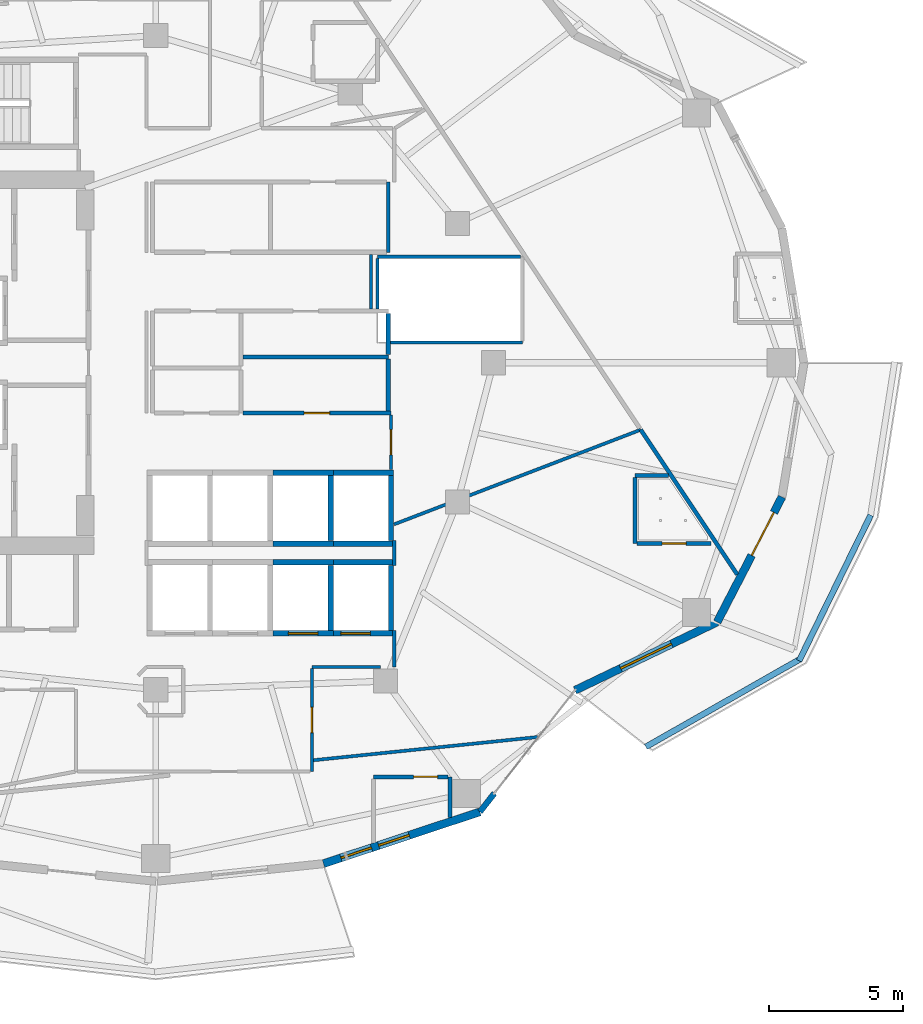
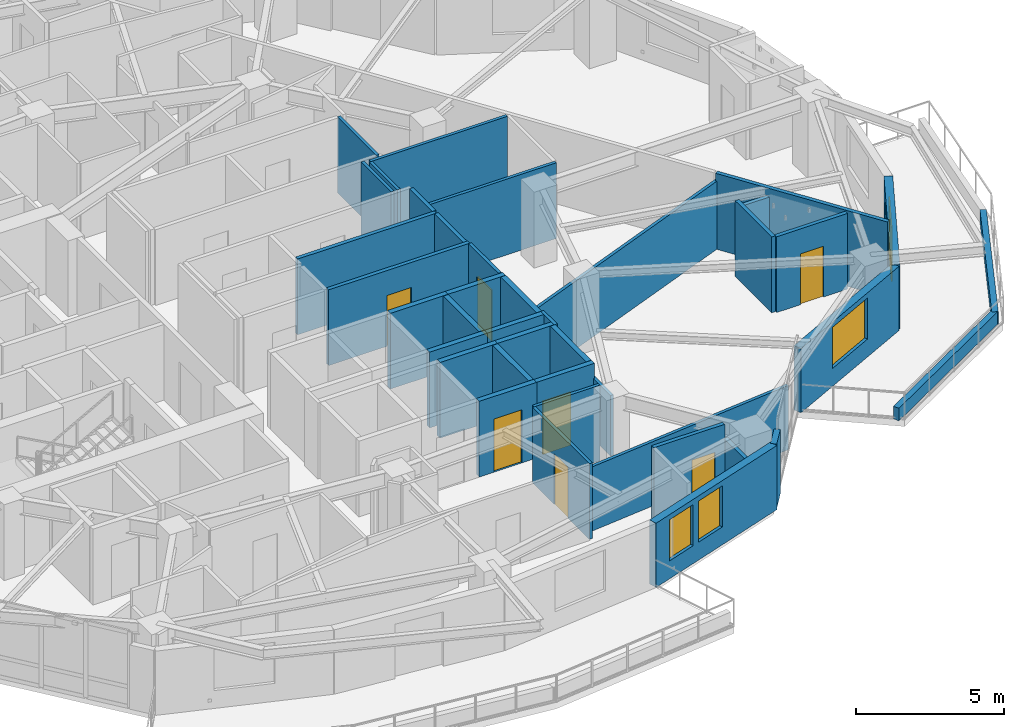
# One storey, part 10 of 18: 40 walls, 8 doors, 3 windows, 11 openings.
"""IFC4 building model written with IfcOpenShell, lengths in metres."""

from ifc_helpers import new_model, si_unit, direction, frame, frame_2d, origin, place, context, subcontext, project, spatial, rectangle, extrude, material, layer, layer_set, type_object, element, fill, save


model = new_model("IFC4")

# Units and contexts
model_context = context("Model", 3, precision=1e-05, world=origin(), true_north=direction((0.0, 1.0)))
body_context = subcontext(model_context, "Body", "Model", "MODEL_VIEW")
ifc_project = project(units=[si_unit("LENGTHUNIT", "METRE"), si_unit("AREAUNIT", "SQUARE_METRE"), si_unit("VOLUMEUNIT", "CUBIC_METRE"), si_unit("PLANEANGLEUNIT", "RADIAN"), si_unit("MASSUNIT", "GRAM", prefix="KILO")], contexts=[model_context])

# Site, building, storey
site_placement = place(None, origin())
site = spatial("IfcSite", under=ifc_project, at=site_placement, CompositionType="ELEMENT")
building_placement = place(site_placement, origin())
building = spatial("IfcBuilding", under=site, at=building_placement, Name="Kolvaren Gate Tower and Convention Centre", CompositionType="ELEMENT")
storey_placement = place(building_placement, frame((0.0, 0.0, 108.699951171875)))
storey = spatial("IfcBuildingStorey", under=building, at=storey_placement, Name="L26", CompositionType="ELEMENT", Elevation=108.699951171875)

# Walls
ifc_material_1 = material(Name="Fire-Rated Acoustic Gypsum Stud Partition", Category="gypsum")
ifc_layer_1 = layer(ifc_material_1, 0.1201171875)
ifc_layer_set_1 = layer_set([ifc_layer_1], Name="Fire-Rated Acoustic Gypsum Stud Partition")
wall_type_1 = type_object("IfcWallType", Name="ARCH-WL-PART-120", PredefinedType="PARTITIONING", material=ifc_layer_set_1)
wall_1_placement = place(storey_placement, frame((38.800048828125, 31.1201171875, 0.0), z_axis=(0.0, 0.0, 1.0), x_axis=(0.0, 1.0, 0.0)))
element("IfcWall", 1, at=wall_1_placement, inside=storey, type_object=wall_type_1, Name="Interior Partition WL-L26-INT-024", PredefinedType="PARTITIONING", context=body_context, shape_type="SweptSolid", body=[
    extrude(rectangle(XDim=2.6298828125, YDim=0.1201171875, at=frame_2d((1.31494140625, 0.0))), origin(), (0.0, 0.0, 1.0), 3.130126953125),
])
wall_2_placement = place(storey_placement, frame((39.02001953125, 15.64990234375, 0.0), z_axis=(0.0, 0.0, 1.0), x_axis=(0.0, 1.0, 0.0)))
element("IfcWall", 2, at=wall_2_placement, inside=storey, type_object=wall_type_1, Name="Interior Partition WL-L26-INT-028", PredefinedType="PARTITIONING", context=body_context, shape_type="SweptSolid", body=[
    extrude(rectangle(XDim=1.360107421875, YDim=0.1201171875, at=frame_2d((0.68017578125, 0.0))), origin(), (0.0, 0.0, 1.0), 2.505126953125),
])
wall_3_placement = place(storey_placement, frame((39.02001953125, 19.43994140625, 0.0), z_axis=(0.0, 0.0, 1.0), x_axis=(0.0, 1.0, 0.0)))
element("IfcWall", 3, at=wall_3_placement, inside=storey, type_object=wall_type_1, Name="Interior Partition WL-L26-INT-028 (2)", PredefinedType="PARTITIONING", context=body_context, shape_type="SweptSolid", body=[
    extrude(rectangle(XDim=0.920166015625, YDim=0.1201171875, at=frame_2d((0.4599609375, 0.0))), origin(), (0.0, 0.0, 1.0), 3.130126953125),
])
wall_4_placement = place(storey_placement, frame((35.949951171875, 15.64990234375, 0.0), z_axis=(0.0, 0.0, 1.0), x_axis=(1.0, 0.0, 0.0)))
element("IfcWall", 4, at=wall_4_placement, inside=storey, type_object=wall_type_1, Name="Interior Partition WL-L26-INT-031", PredefinedType="PARTITIONING", context=body_context, shape_type="SweptSolid", body=[
    extrude(rectangle(XDim=2.568115234375, YDim=0.1201171875, at=frame_2d((1.2841796875, 0.0))), origin(), (0.0, 0.0, 1.0), 3.130126953125),
])

# Wall, opening, door
wall_5_placement = place(storey_placement, frame((35.949951171875, 11.75, 0.0), z_axis=(0.0, 0.0, 1.0), x_axis=(0.0, 1.0, 0.0)))
wall_5 = element("IfcWall", 5, at=wall_5_placement, inside=storey, type_object=wall_type_1, Name="Interior Partition WL-L26-INT-032", PredefinedType="PARTITIONING", context=body_context, shape_type="SweptSolid", body=[
    extrude(rectangle(XDim=3.837890625, YDim=0.1201171875, at=frame_2d((1.9189453125, 0.0))), origin(), (0.0, 0.0, 1.0), 3.130126953125),
])
opening_1_placement = place(wall_5_placement, frame((1.444091796875, 0.0, 0.0)))
opening_1 = element("IfcOpeningElement", 6, at=opening_1_placement, cuts=wall_5, Name="Opening DR-01", PredefinedType="OPENING", context=body_context, shape_type="SweptSolid", body=[
    extrude(rectangle(XDim=0.949951171875, YDim=2.10009765625, at=frame_2d((0.47509765625, 1.050048828125))), frame((0.0, 0.070068359375, 0.0), z_axis=(0.0, -1.0, 0.0), x_axis=(1.0, 0.0, 0.0)), (0.0, 0.0, 1.0), 0.14013671875),
])
ifc_material_2 = material(Name="Painted Architectural Steelwork ASTM A500 Grade C 345 MPa", Category="steel")
door_type_1 = type_object("IfcDoorType", Name="ARCH-DR-RISER-950", OperationType="SINGLE_SWING_RIGHT", PredefinedType="DOOR", material=ifc_material_2)
door_1_placement = place(opening_1_placement, origin())
door_1 = element("IfcDoor", 7, at=door_1_placement, inside=storey, type_object=door_type_1, Name="Deluxe Hotel Suite (HTL-L26-03) Door", OperationType="SINGLE_SWING_LEFT", OverallHeight=2.10009765625, OverallWidth=0.949951171875, PredefinedType="DOOR", context=body_context, shape_type="SweptSolid", body=[
    extrude(rectangle(XDim=0.949951171875, YDim=2.10009765625, at=frame_2d((0.47509765625, 1.050048828125))), frame((0.0, 0.02490234375, 0.0), z_axis=(0.0, -1.0, 0.0), x_axis=(1.0, 0.0, 0.0)), (0.0, 0.0, 1.0), 0.050048828125),
])
fill(opening_1, door_1)

# Wall
wall_6_placement = place(storey_placement, frame((38.159912109375, 28.9970703125, 0.0), z_axis=(0.0, 0.0, 1.0), x_axis=(0.0, 1.0, 0.0)))
element("IfcWall", 8, at=wall_6_placement, inside=storey, type_object=wall_type_1, Name="Interior Partition WL-L26-INT-054", PredefinedType="PARTITIONING", context=body_context, shape_type="SweptSolid", body=[
    extrude(rectangle(XDim=2.0458984375, YDim=0.1201171875, at=frame_2d((1.02294921875, 0.0))), origin(), (0.0, 0.0, 1.0), 3.130126953125),
])

# Wall, opening, door
wall_7_placement = place(storey_placement, frame((38.89990234375, 23.02001953125, 0.0), z_axis=(0.0, 0.0, 1.0), x_axis=(0.0, 1.0, 0.0)))
wall_7 = element("IfcWall", 9, at=wall_7_placement, inside=storey, type_object=wall_type_1, Name="Interior Partition WL-L26-INT-055", PredefinedType="PARTITIONING", context=body_context, shape_type="SweptSolid", body=[
    extrude(rectangle(XDim=2.02294921875, YDim=0.1201171875, at=frame_2d((1.011474609375, 0.0))), origin(), (0.0, 0.0, 1.0), 3.130126953125),
])
opening_2_placement = place(wall_7_placement, frame((0.53662109375, 0.0, 0.0)))
opening_2 = element("IfcOpeningElement", 10, at=opening_2_placement, cuts=wall_7, Name="Opening DR-01", PredefinedType="OPENING", context=body_context, shape_type="SweptSolid", body=[
    extrude(rectangle(XDim=0.949951171875, YDim=2.10009765625, at=frame_2d((0.47509765625, 1.050048828125))), frame((0.0, 0.070068359375, 0.0), z_axis=(0.0, -1.0, 0.0), x_axis=(1.0, 0.0, 0.0)), (0.0, 0.0, 1.0), 0.14013671875),
])
door_2_placement = place(opening_2_placement, origin())
door_2 = element("IfcDoor", 11, at=door_2_placement, inside=storey, type_object=door_type_1, Name="Hotel Botanical Clubroom Door", OperationType="SINGLE_SWING_RIGHT", OverallHeight=2.10009765625, OverallWidth=0.949951171875, PredefinedType="DOOR", context=body_context, shape_type="SweptSolid", body=[
    extrude(rectangle(XDim=0.949951171875, YDim=2.10009765625, at=frame_2d((0.47509765625, 1.050048828125))), frame((0.0, 0.02490234375, 0.0), z_axis=(0.0, -1.0, 0.0), x_axis=(1.0, 0.0, 0.0)), (0.0, 0.0, 1.0), 0.050048828125),
])
fill(opening_2, door_2)

# Walls
wall_8_placement = place(storey_placement, frame((39.02001953125, 20.9697265625, 0.0), z_axis=(0.0, 0.0, 1.0), x_axis=(0.933683590648, 0.358099082035, 0.0)))
element("IfcWall", 12, at=wall_8_placement, inside=storey, type_object=wall_type_1, Name="Interior Partition WL-L26-INT-061", PredefinedType="PARTITIONING", context=body_context, shape_type="SweptSolid", body=[
    extrude(rectangle(XDim=9.85498046875, YDim=0.1201171875, at=frame_2d((4.927490234375, 0.0))), origin(), (0.0, 0.0, 1.0), 2.81201171875),
])
wall_9_placement = place(storey_placement, frame((36.011962890625, 12.16796875, 0.0), z_axis=(0.0, 0.0, 1.0), x_axis=(0.994692716247, 0.102890233962, 0.0)))
element("IfcWall", 13, at=wall_9_placement, inside=storey, type_object=wall_type_1, Name="Interior Partition WL-L26-INT-068", PredefinedType="PARTITIONING", context=body_context, shape_type="SweptSolid", body=[
    extrude(rectangle(XDim=8.406982421875, YDim=0.1201171875, at=frame_2d((4.20361328125, 0.0))), origin(), (0.0, 0.0, 1.0), 2.653076171875),
])
wall_10_placement = place(storey_placement, frame((38.876953125, 27.75, 0.0), z_axis=(0.0, 0.0, 1.0), x_axis=(1.0, 0.0, 0.0)))
element("IfcWall", 14, at=wall_10_placement, inside=storey, type_object=wall_type_1, Name="Interior Partition WL-L26-INT-077", PredefinedType="PARTITIONING", context=body_context, shape_type="SweptSolid", body=[
    extrude(rectangle(XDim=4.923095703125, YDim=0.1201171875, at=frame_2d((2.46142578125, 0.0))), origin(), (0.0, 0.0, 1.0), 3.130126953125),
])
wall_11_placement = place(storey_placement, frame((38.39990234375, 30.949951171875, 0.0), z_axis=(0.0, 0.0, 1.0), x_axis=(1.0, 0.0, 0.0)))
element("IfcWall", 15, at=wall_11_placement, inside=storey, type_object=wall_type_1, Name="Interior Partition WL-L26-INT-079", PredefinedType="PARTITIONING", context=body_context, shape_type="SweptSolid", body=[
    extrude(rectangle(XDim=5.338134765625, YDim=0.1201171875, at=frame_2d((2.6689453125, 0.0))), origin(), (0.0, 0.0, 1.0), 3.130126953125),
])
wall_12_placement = place(storey_placement, frame((38.39990234375, 28.9970703125, 0.0), z_axis=(0.0, 0.0, 1.0), x_axis=(0.0, 1.0, 0.0)))
element("IfcWall", 16, at=wall_12_placement, inside=storey, type_object=wall_type_1, Name="Interior Partition WL-L26-INT-080", PredefinedType="PARTITIONING", context=body_context, shape_type="SweptSolid", body=[
    extrude(rectangle(XDim=1.890869140625, YDim=0.1201171875, at=frame_2d((0.9453125, 0.0))), origin(), (0.0, 0.0, 1.0), 3.130126953125),
])
ifc_material_3 = material(Name="Bogota Sabana Bush-Hammered Sandstone Cladding", Category="masonry")
ifc_layer_2 = layer(ifc_material_3, 0.219970703125)
ifc_layer_set_2 = layer_set([ifc_layer_2], Name="Bogota Sabana Bush-Hammered Sandstone Cladding")
wall_type_2 = type_object("IfcWallType", Name="ARCH-WL-PIER-220", PredefinedType="SOLIDWALL", material=ifc_layer_set_2)
wall_13_placement = place(storey_placement, frame((42.21875, 10.242431640625, 0.0), z_axis=(0.0, 0.0, 1.0), x_axis=(0.61650363284, 0.787352062736, 0.0)))
element("IfcWall", 17, at=wall_13_placement, inside=storey, type_object=wall_type_2, Name="Tower L26 Unitised Curtain Wall CW-HTL-UNIT Bay 20 Left Column Pier Wrap", PredefinedType="SOLIDWALL", context=body_context, shape_type="SweptSolid", body=[
    extrude(rectangle(XDim=0.8759765625, YDim=0.219970703125, at=frame_2d((0.43798828125, 0.0))), origin(), (0.0, 0.0, 1.0), 2.653076171875),
])
ifc_material_4 = material(Name="Piedmont Cream Honed Limestone Cladding", Category="masonry")
ifc_layer_3 = layer(ifc_material_4, 0.219970703125)
ifc_layer_set_3 = layer_set([ifc_layer_3], Name="Piedmont Cream Honed Limestone Cladding")
wall_type_3 = type_object("IfcWallType", Name="ARCH-WL-PLANTER-220", PredefinedType="PARAPET", material=ifc_layer_set_3)
wall_14_placement = place(storey_placement, frame((48.41259765625, 12.667724609375, 0.0), z_axis=(0.0, 0.0, 1.0), x_axis=(0.869187658335, 0.494482370361, 0.0)))
element("IfcWall", 18, at=wall_14_placement, inside=storey, type_object=wall_type_3, Name="Vertical-Forest Balcony Stone Planter Kerb PK-L26-4.1", PredefinedType="PARAPET", context=body_context, shape_type="SweptSolid", body=[
    extrude(rectangle(XDim=6.606201171875, YDim=0.219970703125, at=frame_2d((3.30322265625, 0.0))), origin(), (0.0, 0.0, 1.0), 0.52001953125),
])
wall_15_placement = place(storey_placement, frame((54.12890625, 15.87841796875, 0.0), z_axis=(0.0, 0.0, 1.0), x_axis=(0.441269631716, 0.897374566235, 0.0)))
element("IfcWall", 19, at=wall_15_placement, inside=storey, type_object=wall_type_3, Name="Vertical-Forest Balcony Stone Planter Kerb PK-L26-4.2", PredefinedType="PARAPET", context=body_context, shape_type="SweptSolid", body=[
    extrude(rectangle(XDim=6.05615234375, YDim=0.219970703125, at=frame_2d((3.028076171875, 0.0))), origin(), (0.0, 0.0, 1.0), 0.52001953125),
])
ifc_material_5 = material(Name="Autoclaved Aerated Masonry Blockwork Class 4 (4.0 MPa)", Category="masonry")
ifc_layer_4 = layer(ifc_material_5, 0.199951171875)
ifc_layer_set_4 = layer_set([ifc_layer_4], Name="Autoclaved Aerated Masonry Blockwork Class 4 (4.0 MPa)")
wall_type_4 = type_object("IfcWallType", Name="ARCH-WL-SHAFT-200", PredefinedType="SOLIDWALL", material=ifc_layer_set_4)
wall_16_placement = place(storey_placement, frame((34.5, 19.550048828125, 0.0), z_axis=(0.0, 0.0, 1.0), x_axis=(1.0, 0.0, 0.0)))
element("IfcWall", 20, at=wall_16_placement, inside=storey, type_object=wall_type_4, Name="Elevator PL-07 L26 Fire Shaft Wall N", PredefinedType="SOLIDWALL", context=body_context, shape_type="SweptSolid", body=[
    extrude(rectangle(XDim=2.25, YDim=0.199951171875, at=frame_2d((1.125, 0.0))), origin(), (0.0, 0.0, 1.0), 3.130126953125),
])

# Wall, opening, door
wall_17_placement = place(storey_placement, frame((34.5, 16.89990234375, 0.0), z_axis=(0.0, 0.0, 1.0), x_axis=(1.0, 0.0, 0.0)))
wall_17 = element("IfcWall", 21, at=wall_17_placement, inside=storey, type_object=wall_type_4, Name="Elevator PL-07 L26 Fire Shaft Wall S", PredefinedType="SOLIDWALL", context=body_context, shape_type="SweptSolid", body=[
    extrude(rectangle(XDim=2.25, YDim=0.199951171875, at=frame_2d((1.125, 0.0))), origin(), (0.0, 0.0, 1.0), 3.130126953125),
])
opening_3_placement = place(wall_17_placement, frame((0.574951171875, 0.0, 0.0)))
opening_3 = element("IfcOpeningElement", 22, at=opening_3_placement, cuts=wall_17, Name="Opening LD", PredefinedType="OPENING", context=body_context, shape_type="SweptSolid", body=[
    extrude(rectangle(XDim=1.10009765625, YDim=2.199951171875, at=frame_2d((0.550048828125, 1.10009765625))), frame((0.0, 0.10986328125, 0.0), z_axis=(0.0, -1.0, 0.0), x_axis=(1.0, 0.0, 0.0)), (0.0, 0.0, 1.0), 0.219970703125),
])
ifc_material_6 = material(Name="Brushed Stainless Steel Grade 316L", Category="steel")
door_type_2 = type_object("IfcDoorType", Name="ARCH-DR-LIFT-1100", OperationType="SLIDING_TO_LEFT", PredefinedType="DOOR", material=ifc_material_6)
door_3_placement = place(opening_3_placement, origin())
door_3 = element("IfcDoor", 23, at=door_3_placement, inside=storey, type_object=door_type_2, Name="Elevator PL-07 L26 Sliding Landing Door", OperationType="SLIDING_TO_LEFT", OverallHeight=2.199951171875, OverallWidth=1.10009765625, PredefinedType="DOOR", context=body_context, shape_type="SweptSolid", body=[
    extrude(rectangle(XDim=1.10009765625, YDim=2.199951171875, at=frame_2d((0.550048828125, 1.10009765625))), frame((0.0, 0.02490234375, 0.0), z_axis=(0.0, -1.0, 0.0), x_axis=(1.0, 0.0, 0.0)), (0.0, 0.0, 1.0), 0.050048828125),
])
fill(opening_3, door_3)

# Walls
wall_18_placement = place(storey_placement, frame((36.64990234375, 17.010009765625, 0.0), z_axis=(0.0, 0.0, 1.0), x_axis=(0.0, 1.0, 0.0)))
element("IfcWall", 24, at=wall_18_placement, inside=storey, type_object=wall_type_4, Name="Elevator PL-07 L26 Fire Shaft Wall E", PredefinedType="SOLIDWALL", context=body_context, shape_type="SweptSolid", body=[
    extrude(rectangle(XDim=2.429931640625, YDim=0.199951171875, at=frame_2d((1.21484375, 0.0))), origin(), (0.0, 0.0, 1.0), 3.130126953125),
])
wall_19_placement = place(storey_placement, frame((36.75, 19.550048828125, 0.0), z_axis=(0.0, 0.0, 1.0), x_axis=(1.0, 0.0, 0.0)))
element("IfcWall", 25, at=wall_19_placement, inside=storey, type_object=wall_type_4, Name="Elevator PL-08 L26 Fire Shaft Wall N", PredefinedType="SOLIDWALL", context=body_context, shape_type="SweptSolid", body=[
    extrude(rectangle(XDim=2.25, YDim=0.199951171875, at=frame_2d((1.125, 0.0))), origin(), (0.0, 0.0, 1.0), 3.130126953125),
])

# Wall, opening, door
wall_20_placement = place(storey_placement, frame((36.75, 16.89990234375, 0.0), z_axis=(0.0, 0.0, 1.0), x_axis=(1.0, 0.0, 0.0)))
wall_20 = element("IfcWall", 26, at=wall_20_placement, inside=storey, type_object=wall_type_4, Name="Elevator PL-08 L26 Fire Shaft Wall S", PredefinedType="SOLIDWALL", context=body_context, shape_type="SweptSolid", body=[
    extrude(rectangle(XDim=2.25, YDim=0.199951171875, at=frame_2d((1.125, 0.0))), origin(), (0.0, 0.0, 1.0), 3.130126953125),
])
opening_4_placement = place(wall_20_placement, frame((0.280029296875, 0.0, 0.0)))
opening_4 = element("IfcOpeningElement", 27, at=opening_4_placement, cuts=wall_20, Name="Opening LD", PredefinedType="OPENING", context=body_context, shape_type="SweptSolid", body=[
    extrude(rectangle(XDim=1.10009765625, YDim=2.199951171875, at=frame_2d((0.550048828125, 1.10009765625))), frame((0.0, 0.10986328125, 0.0), z_axis=(0.0, -1.0, 0.0), x_axis=(1.0, 0.0, 0.0)), (0.0, 0.0, 1.0), 0.219970703125),
])
door_4_placement = place(opening_4_placement, origin())
door_4 = element("IfcDoor", 28, at=door_4_placement, inside=storey, type_object=door_type_2, Name="Elevator PL-08 L26 Sliding Landing Door", OperationType="SLIDING_TO_LEFT", OverallHeight=2.199951171875, OverallWidth=1.10009765625, PredefinedType="DOOR", context=body_context, shape_type="SweptSolid", body=[
    extrude(rectangle(XDim=1.10009765625, YDim=2.199951171875, at=frame_2d((0.550048828125, 1.10009765625))), frame((0.0, 0.02490234375, 0.0), z_axis=(0.0, -1.0, 0.0), x_axis=(1.0, 0.0, 0.0)), (0.0, 0.0, 1.0), 0.050048828125),
])
fill(opening_4, door_4)

# Walls
wall_21_placement = place(storey_placement, frame((38.89990234375, 17.010009765625, 0.0), z_axis=(0.0, 0.0, 1.0), x_axis=(0.0, 1.0, 0.0)))
element("IfcWall", 29, at=wall_21_placement, inside=storey, type_object=wall_type_4, Name="Elevator PL-08 L26 Fire Shaft Wall E", PredefinedType="SOLIDWALL", context=body_context, shape_type="SweptSolid", body=[
    extrude(rectangle(XDim=2.429931640625, YDim=0.199951171875, at=frame_2d((1.21484375, 0.0))), origin(), (0.0, 0.0, 1.0), 3.130126953125),
])
for number, where, z_axis, x_axis, name in (
    (30, (34.5, 22.89990234375, 0.0), (0.0, 0.0, 1.0), (1.0, 0.0, 0.0), "Elevator PL-11 L26 Fire Shaft Wall N"),
    (31, (34.5, 20.25, 0.0), (0.0, 0.0, 1.0), (1.0, 0.0, 0.0), "Elevator PL-11 L26 Fire Shaft Wall S"),
):
    element("IfcWall", number, at=place(storey_placement, frame(where, z_axis=z_axis, x_axis=x_axis)), inside=storey, type_object=wall_type_4, Name=name, PredefinedType="SOLIDWALL", context=body_context, shape_type="SweptSolid", body=[
        extrude(rectangle(XDim=2.25, YDim=0.199951171875, at=frame_2d((1.125, 0.0))), origin(), (0.0, 0.0, 1.0), 3.130126953125),
    ])
wall_22_placement = place(storey_placement, frame((36.64990234375, 20.360107421875, 0.0), z_axis=(0.0, 0.0, 1.0), x_axis=(0.0, 1.0, 0.0)))
element("IfcWall", 32, at=wall_22_placement, inside=storey, type_object=wall_type_4, Name="Elevator PL-11 L26 Fire Shaft Wall E", PredefinedType="SOLIDWALL", context=body_context, shape_type="SweptSolid", body=[
    extrude(rectangle(XDim=2.429931640625, YDim=0.199951171875, at=frame_2d((1.21484375, 0.0))), origin(), (0.0, 0.0, 1.0), 3.130126953125),
])
for number, where, z_axis, x_axis, name in (
    (33, (36.75, 22.89990234375, 0.0), (0.0, 0.0, 1.0), (1.0, 0.0, 0.0), "Elevator PL-12 L26 Fire Shaft Wall N"),
    (34, (36.75, 20.25, 0.0), (0.0, 0.0, 1.0), (1.0, 0.0, 0.0), "Elevator PL-12 L26 Fire Shaft Wall S"),
):
    element("IfcWall", number, at=place(storey_placement, frame(where, z_axis=z_axis, x_axis=x_axis)), inside=storey, type_object=wall_type_4, Name=name, PredefinedType="SOLIDWALL", context=body_context, shape_type="SweptSolid", body=[
        extrude(rectangle(XDim=2.25, YDim=0.199951171875, at=frame_2d((1.125, 0.0))), origin(), (0.0, 0.0, 1.0), 3.130126953125),
    ])
wall_23_placement = place(storey_placement, frame((38.89990234375, 20.360107421875, 0.0), z_axis=(0.0, 0.0, 1.0), x_axis=(0.0, 1.0, 0.0)))
element("IfcWall", 35, at=wall_23_placement, inside=storey, type_object=wall_type_4, Name="Elevator PL-12 L26 Fire Shaft Wall E", PredefinedType="SOLIDWALL", context=body_context, shape_type="SweptSolid", body=[
    extrude(rectangle(XDim=2.429931640625, YDim=0.199951171875, at=frame_2d((1.21484375, 0.0))), origin(), (0.0, 0.0, 1.0), 3.130126953125),
])

# Wall, openings, windows
ifc_layer_5 = layer(ifc_material_4, 0.300048828125)
ifc_layer_set_5 = layer_set([ifc_layer_5], Name="Piedmont Cream Honed Limestone Cladding")
wall_type_5 = type_object("IfcWallType", Name="ARCH-WL-STONE-300", PredefinedType="SOLIDWALL", material=ifc_layer_set_5)
wall_24_placement = place(storey_placement, frame((36.38525390625, 8.309326171875, 0.0), z_axis=(0.0, 0.0, 1.0), x_axis=(0.949238009374, 0.314558741032, 0.0)))
wall_24 = element("IfcWall", 36, at=wall_24_placement, inside=storey, type_object=wall_type_5, Name="Tower L26 Honed Stone Spandrel Wall EW-19", PredefinedType="SOLIDWALL", context=body_context, shape_type="SweptSolid", body=[
    extrude(rectangle(XDim=6.1455078125, YDim=0.300048828125, at=frame_2d((3.07275390625, 0.0))), origin(), (0.0, 0.0, 1.0), 2.653076171875),
])
opening_5_placement = place(wall_24_placement, frame((0.684814453125, 0.0, 0.739990234375)))
opening_5 = element("IfcOpeningElement", 37, at=opening_5_placement, cuts=wall_24, Name="Opening W-04", PredefinedType="OPENING", context=body_context, shape_type="SweptSolid", body=[
    extrude(rectangle(XDim=1.199951171875, YDim=1.699951171875, at=frame_2d((0.60009765625, 0.85009765625))), frame((0.0, 0.159912109375, 0.0), z_axis=(0.0, -1.0, 0.0), x_axis=(1.0, 0.0, 0.0)), (0.0, 0.0, 1.0), 0.320068359375),
])
opening_6_placement = place(wall_24_placement, frame((2.165771484375, 0.0, 0.739990234375)))
opening_6 = element("IfcOpeningElement", 38, at=opening_6_placement, cuts=wall_24, Name="Opening W-04", PredefinedType="OPENING", context=body_context, shape_type="SweptSolid", body=[
    extrude(rectangle(XDim=1.199951171875, YDim=1.699951171875, at=frame_2d((0.60009765625, 0.85009765625))), frame((0.0, 0.159912109375, 0.0), z_axis=(0.0, -1.0, 0.0), x_axis=(1.0, 0.0, 0.0)), (0.0, 0.0, 1.0), 0.320068359375),
])
ifc_material_7 = material(Name="Low-E Triple Insulated Glazing Unit 44 mm", Category="glass")
window_type_1 = type_object("IfcWindowType", Name="ARCH-WN-NARROW-1200", PartitioningType="SINGLE_PANEL", PredefinedType="WINDOW", material=ifc_material_7)
window_1_placement = place(opening_5_placement, origin())
window_1 = element("IfcWindow", 39, at=window_1_placement, inside=storey, type_object=window_type_1, Name="Tower L26 Punched Stone Facade Window W-19", OverallHeight=1.699951171875, OverallWidth=1.199951171875, PartitioningType="SINGLE_PANEL", PredefinedType="WINDOW", context=body_context, shape_type="SweptSolid", body=[
    extrude(rectangle(XDim=1.199951171875, YDim=1.699951171875, at=frame_2d((0.60009765625, 0.85009765625))), frame((0.0, 0.030029296875, 0.0), z_axis=(0.0, -1.0, 0.0), x_axis=(1.0, 0.0, 0.0)), (0.0, 0.0, 1.0), 0.06005859375),
])
fill(opening_5, window_1)
window_2_placement = place(opening_6_placement, origin())
window_2 = element("IfcWindow", 40, at=window_2_placement, inside=storey, type_object=window_type_1, Name="Tower L26 Punched Stone Facade Window W-19B", OverallHeight=1.699951171875, OverallWidth=1.199951171875, PartitioningType="SINGLE_PANEL", PredefinedType="WINDOW", context=body_context, shape_type="SweptSolid", body=[
    extrude(rectangle(XDim=1.199951171875, YDim=1.699951171875, at=frame_2d((0.60009765625, 0.85009765625))), frame((0.0, 0.030029296875, 0.0), z_axis=(0.0, -1.0, 0.0), x_axis=(1.0, 0.0, 0.0)), (0.0, 0.0, 1.0), 0.06005859375),
])
fill(opening_6, window_2)

# Wall, opening, window
wall_25_placement = place(storey_placement, frame((45.768798828125, 14.777099609375, 0.0), z_axis=(0.0, 0.0, 1.0), x_axis=(0.901370184739, 0.433049408339, 0.0)))
wall_25 = element("IfcWall", 41, at=wall_25_placement, inside=storey, type_object=wall_type_5, Name="Tower L26 Honed Stone Spandrel Wall EW-21", PredefinedType="SOLIDWALL", context=body_context, shape_type="SweptSolid", body=[
    extrude(rectangle(XDim=5.883544921875, YDim=0.300048828125, at=frame_2d((2.94189453125, 0.0))), origin(), (0.0, 0.0, 1.0), 2.653076171875),
])
opening_7_placement = place(wall_25_placement, frame((1.89208984375, 0.0, 0.739990234375)))
opening_7 = element("IfcOpeningElement", 42, at=opening_7_placement, cuts=wall_25, Name="Opening W-02", PredefinedType="OPENING", context=body_context, shape_type="SweptSolid", body=[
    extrude(rectangle(XDim=2.10009765625, YDim=1.699951171875, at=frame_2d((1.050048828125, 0.85009765625))), frame((0.0, 0.159912109375, 0.0), z_axis=(0.0, -1.0, 0.0), x_axis=(1.0, 0.0, 0.0)), (0.0, 0.0, 1.0), 0.320068359375),
])
window_type_2 = type_object("IfcWindowType", Name="ARCH-WN-HTL-2100", PartitioningType="SINGLE_PANEL", PredefinedType="WINDOW", material=ifc_material_7)
window_3_placement = place(opening_7_placement, origin())
window_3 = element("IfcWindow", 43, at=window_3_placement, inside=storey, type_object=window_type_2, Name="Tower L26 Punched Stone Facade Window W-21", OverallHeight=1.699951171875, OverallWidth=2.10009765625, PartitioningType="SINGLE_PANEL", PredefinedType="WINDOW", context=body_context, shape_type="SweptSolid", body=[
    extrude(rectangle(XDim=2.10009765625, YDim=1.699951171875, at=frame_2d((1.050048828125, 0.85009765625))), frame((0.0, 0.030029296875, 0.0), z_axis=(0.0, -1.0, 0.0), x_axis=(1.0, 0.0, 0.0)), (0.0, 0.0, 1.0), 0.06005859375),
])
fill(opening_7, window_3)

# Wall, opening, door
wall_26_placement = place(storey_placement, frame((51.072021484375, 17.324951171875, 0.0), z_axis=(0.0, 0.0, 1.0), x_axis=(0.459767899643, 0.888039119892, 0.0)))
wall_26 = element("IfcWall", 44, at=wall_26_placement, inside=storey, type_object=wall_type_5, Name="Tower L26 Honed Stone Spandrel Wall EW-22", PredefinedType="SOLIDWALL", context=body_context, shape_type="SweptSolid", body=[
    extrude(rectangle(XDim=5.25537109375, YDim=0.300048828125, at=frame_2d((2.627685546875, 0.0))), origin(), (0.0, 0.0, 1.0), 2.653076171875),
])
opening_8_placement = place(wall_26_placement, frame((2.800048828125, 0.0, 0.0)))
opening_8 = element("IfcOpeningElement", 45, at=opening_8_placement, cuts=wall_26, Name="Opening DB-01", PredefinedType="OPENING", context=body_context, shape_type="SweptSolid", body=[
    extrude(rectangle(XDim=1.800048828125, YDim=2.25, at=frame_2d((0.89990234375, 1.125))), frame((0.0, 0.159912109375, 0.0), z_axis=(0.0, -1.0, 0.0), x_axis=(1.0, 0.0, 0.0)), (0.0, 0.0, 1.0), 0.320068359375),
])
ifc_material_8 = material(Name="Anodized Architectural Aluminium Alloy 6063-T6", Category="aluminium")
door_type_3 = type_object("IfcDoorType", Name="ARCH-DR-BALC-1800", OperationType="SLIDING_TO_LEFT", PredefinedType="DOOR", material=ifc_material_8)
door_5_placement = place(opening_8_placement, frame((1.800048828125, 0.0, 0.0), z_axis=(0.0, 0.0, 1.0), x_axis=(-1.0, 0.0, 0.0)))
door_5 = element("IfcDoor", 46, at=door_5_placement, inside=storey, type_object=door_type_3, Name="Planted Sky Terrace Access Door DB-L26-22", OperationType="SLIDING_TO_LEFT", OverallHeight=2.25, OverallWidth=1.800048828125, PredefinedType="DOOR", context=body_context, shape_type="SweptSolid", body=[
    extrude(rectangle(XDim=1.800048828125, YDim=2.25, at=frame_2d((0.89990234375, 1.125))), frame((0.0, 0.02490234375, 0.0), z_axis=(0.0, -1.0, 0.0), x_axis=(1.0, 0.0, 0.0)), (0.0, 0.0, 1.0), 0.050048828125),
])
fill(opening_8, door_5)

ifc_material_9 = material(Name="Moisture-Resistant Cement-Board Acoustic Partition", Category="gypsum")
ifc_layer_6 = layer(ifc_material_9, 0.14990234375)
ifc_layer_set_6 = layer_set([ifc_layer_6], Name="Moisture-Resistant Cement-Board Acoustic Partition")
wall_type_6 = type_object("IfcWallType", Name="ARCH-WL-WET-150", PredefinedType="PARTITIONING", material=ifc_layer_set_6)
wall_27_placement = place(storey_placement, frame((33.376953125, 25.1201171875, 0.0), z_axis=(0.0, 0.0, 1.0), x_axis=(1.0, 0.0, 0.0)))
wall_27 = element("IfcWall", 47, at=wall_27_placement, inside=storey, type_object=wall_type_6, Name="Interior Partition WL-L26-INT-021 (2)", PredefinedType="PARTITIONING", context=body_context, shape_type="SweptSolid", body=[
    extrude(rectangle(XDim=5.52294921875, YDim=0.14990234375, at=frame_2d((2.761474609375, 0.0))), origin(), (0.0, 0.0, 1.0), 3.130126953125),
])
opening_9_placement = place(wall_27_placement, frame((2.28662109375, 0.0, 0.0)))
opening_9 = element("IfcOpeningElement", 48, at=opening_9_placement, cuts=wall_27, Name="Opening DR-01", PredefinedType="OPENING", context=body_context, shape_type="SweptSolid", body=[
    extrude(rectangle(XDim=0.949951171875, YDim=2.10009765625, at=frame_2d((0.47509765625, 1.050048828125))), frame((0.0, 0.0849609375, 0.0), z_axis=(0.0, -1.0, 0.0), x_axis=(1.0, 0.0, 0.0)), (0.0, 0.0, 1.0), 0.169921875),
])
door_6_placement = place(opening_9_placement, origin())
door_6 = element("IfcDoor", 49, at=door_6_placement, inside=storey, type_object=door_type_1, Name="Floor Coffee Pantry Door", OperationType="SINGLE_SWING_RIGHT", OverallHeight=2.10009765625, OverallWidth=0.949951171875, PredefinedType="DOOR", context=body_context, shape_type="SweptSolid", body=[
    extrude(rectangle(XDim=0.949951171875, YDim=2.10009765625, at=frame_2d((0.47509765625, 1.050048828125))), frame((0.0, 0.02490234375, 0.0), z_axis=(0.0, -1.0, 0.0), x_axis=(1.0, 0.0, 0.0)), (0.0, 0.0, 1.0), 0.050048828125),
])
fill(opening_9, door_6)

# Walls
wall_28_placement = place(storey_placement, frame((33.376953125, 27.219970703125, 0.0), z_axis=(0.0, 0.0, 1.0), x_axis=(1.0, 0.0, 0.0)))
element("IfcWall", 50, at=wall_28_placement, inside=storey, type_object=wall_type_6, Name="Interior Partition WL-L26-INT-022", PredefinedType="PARTITIONING", context=body_context, shape_type="SweptSolid", body=[
    extrude(rectangle(XDim=5.423095703125, YDim=0.14990234375, at=frame_2d((2.71142578125, 0.0))), origin(), (0.0, 0.0, 1.0), 3.130126953125),
])
wall_29_placement = place(storey_placement, frame((38.800048828125, 25.197021484375, 0.0), z_axis=(0.0, 0.0, 1.0), x_axis=(0.0, 1.0, 0.0)))
element("IfcWall", 51, at=wall_29_placement, inside=storey, type_object=wall_type_6, Name="Interior Partition WL-L26-INT-023", PredefinedType="PARTITIONING", context=body_context, shape_type="SweptSolid", body=[
    extrude(rectangle(XDim=1.946044921875, YDim=0.14990234375, at=frame_2d((0.97314453125, 0.0))), origin(), (0.0, 0.0, 1.0), 3.130126953125),
])
wall_30_placement = place(storey_placement, frame((38.800048828125, 27.297119140625, 0.0), z_axis=(0.0, 0.0, 1.0), x_axis=(0.0, 1.0, 0.0)))
element("IfcWall", 52, at=wall_30_placement, inside=storey, type_object=wall_type_6, Name="Interior Partition WL-L26-INT-023 (2)", PredefinedType="PARTITIONING", context=body_context, shape_type="SweptSolid", body=[
    extrude(rectangle(XDim=1.5458984375, YDim=0.14990234375, at=frame_2d((0.77294921875, 0.0))), origin(), (0.0, 0.0, 1.0), 3.130126953125),
])
wall_31_placement = place(storey_placement, frame((41.10009765625, 10.03173828125, 0.0), z_axis=(0.0, 0.0, 1.0), x_axis=(0.0, 1.0, 0.0)))
element("IfcWall", 53, at=wall_31_placement, inside=storey, type_object=wall_type_6, Name="Interior Partition WL-L26-INT-069", PredefinedType="PARTITIONING", context=body_context, shape_type="SweptSolid", body=[
    extrude(rectangle(XDim=1.518310546875, YDim=0.14990234375, at=frame_2d((0.75927734375, 0.0))), origin(), (0.0, 0.0, 1.0), 2.505126953125),
])

# Wall, opening, door
wall_32_placement = place(storey_placement, frame((38.25, 11.550048828125, 0.0), z_axis=(0.0, 0.0, 1.0), x_axis=(1.0, 0.0, 0.0)))
wall_32 = element("IfcWall", 54, at=wall_32_placement, inside=storey, type_object=wall_type_6, Name="Interior Partition WL-L26-INT-070", PredefinedType="PARTITIONING", context=body_context, shape_type="SweptSolid", body=[
    extrude(rectangle(XDim=2.77294921875, YDim=0.14990234375, at=frame_2d((1.386474609375, 0.0))), origin(), (0.0, 0.0, 1.0), 3.130126953125),
])
opening_10_placement = place(wall_32_placement, frame((1.49658203125, 0.0, 0.0)))
opening_10 = element("IfcOpeningElement", 55, at=opening_10_placement, cuts=wall_32, Name="Opening DW-01", PredefinedType="OPENING", context=body_context, shape_type="SweptSolid", body=[
    extrude(rectangle(XDim=0.89990234375, YDim=2.10009765625, at=frame_2d((0.449951171875, 1.050048828125))), frame((0.0, 0.0849609375, 0.0), z_axis=(0.0, -1.0, 0.0), x_axis=(1.0, 0.0, 0.0)), (0.0, 0.0, 1.0), 0.169921875),
])
ifc_material_10 = material(Name="FSC Andean Oak Engineered Veneer Door Leaf", Category="wood")
door_type_4 = type_object("IfcDoorType", Name="ARCH-DR-WC-900", OperationType="SINGLE_SWING_RIGHT", PredefinedType="DOOR", material=ifc_material_10)
door_7_placement = place(opening_10_placement, origin())
door_7 = element("IfcDoor", 56, at=door_7_placement, inside=storey, type_object=door_type_4, Name="En-suite Bathroom (HTL-L26-02) Door", OperationType="SINGLE_SWING_LEFT", OverallHeight=2.10009765625, OverallWidth=0.89990234375, PredefinedType="DOOR", context=body_context, shape_type="SweptSolid", body=[
    extrude(rectangle(XDim=0.89990234375, YDim=2.10009765625, at=frame_2d((0.449951171875, 1.050048828125))), frame((0.0, 0.02490234375, 0.0), z_axis=(0.0, -1.0, 0.0), x_axis=(1.0, 0.0, 0.0)), (0.0, 0.0, 1.0), 0.050048828125),
])
fill(opening_10, door_7)

# Walls
wall_33_placement = place(storey_placement, frame((48.220947265625, 24.5, 0.0), z_axis=(0.0, 0.0, 1.0), x_axis=(0.554587324832, -0.832125530876, 0.0)))
element("IfcWall", 57, at=wall_33_placement, inside=storey, type_object=wall_type_6, Name="Interior Partition WL-L26-INT-073 (2)", PredefinedType="PARTITIONING", context=body_context, shape_type="SweptSolid", body=[
    extrude(rectangle(XDim=6.4892578125, YDim=0.14990234375, at=frame_2d((3.24462890625, 0.0))), origin(), (0.0, 0.0, 1.0), 3.130126953125),
])
wall_34_placement = place(storey_placement, frame((48.0, 22.800048828125, 0.0), z_axis=(0.0, 0.0, 1.0), x_axis=(1.0, 0.0, 0.0)))
element("IfcWall", 58, at=wall_34_placement, inside=storey, type_object=wall_type_6, Name="Interior Partition WL-L26-INT-074", PredefinedType="PARTITIONING", context=body_context, shape_type="SweptSolid", body=[
    extrude(rectangle(XDim=1.261474609375, YDim=0.14990234375, at=frame_2d((0.630859375, 0.0))), origin(), (0.0, 0.0, 1.0), 2.81201171875),
])
wall_35_placement = place(storey_placement, frame((48.0, 20.25, 0.0), z_axis=(0.0, 0.0, 1.0), x_axis=(0.0, 1.0, 0.0)))
element("IfcWall", 59, at=wall_35_placement, inside=storey, type_object=wall_type_6, Name="Interior Partition WL-L26-INT-075", PredefinedType="PARTITIONING", context=body_context, shape_type="SweptSolid", body=[
    extrude(rectangle(XDim=2.472900390625, YDim=0.14990234375, at=frame_2d((1.236328125, 0.0))), origin(), (0.0, 0.0, 1.0), 3.130126953125),
])

# Wall, opening, door
wall_36_placement = place(storey_placement, frame((48.076904296875, 20.25, 0.0), z_axis=(0.0, 0.0, 1.0), x_axis=(1.0, 0.0, 0.0)))
wall_36 = element("IfcWall", 60, at=wall_36_placement, inside=storey, type_object=wall_type_6, Name="Interior Partition WL-L26-INT-076", PredefinedType="PARTITIONING", context=body_context, shape_type="SweptSolid", body=[
    extrude(rectangle(XDim=2.773193359375, YDim=0.14990234375, at=frame_2d((1.38671875, 0.0))), origin(), (0.0, 0.0, 1.0), 3.130126953125),
])
opening_11_placement = place(wall_36_placement, frame((0.9365234375, 0.0, 0.0)))
opening_11 = element("IfcOpeningElement", 61, at=opening_11_placement, cuts=wall_36, Name="Opening DW-01", PredefinedType="OPENING", context=body_context, shape_type="SweptSolid", body=[
    extrude(rectangle(XDim=0.89990234375, YDim=2.10009765625, at=frame_2d((0.449951171875, 1.050048828125))), frame((0.0, 0.0849609375, 0.0), z_axis=(0.0, -1.0, 0.0), x_axis=(1.0, 0.0, 0.0)), (0.0, 0.0, 1.0), 0.169921875),
])
door_8_placement = place(opening_11_placement, origin())
door_8 = element("IfcDoor", 62, at=door_8_placement, inside=storey, type_object=door_type_4, Name="En-suite Bathroom (HTL-L26-03) Door", OperationType="SINGLE_SWING_RIGHT", OverallHeight=2.10009765625, OverallWidth=0.89990234375, PredefinedType="DOOR", context=body_context, shape_type="SweptSolid", body=[
    extrude(rectangle(XDim=0.89990234375, YDim=2.10009765625, at=frame_2d((0.449951171875, 1.050048828125))), frame((0.0, 0.02490234375, 0.0), z_axis=(0.0, -1.0, 0.0), x_axis=(1.0, 0.0, 0.0)), (0.0, 0.0, 1.0), 0.050048828125),
])
fill(opening_11, door_8)

save(model, "model.ifc")
